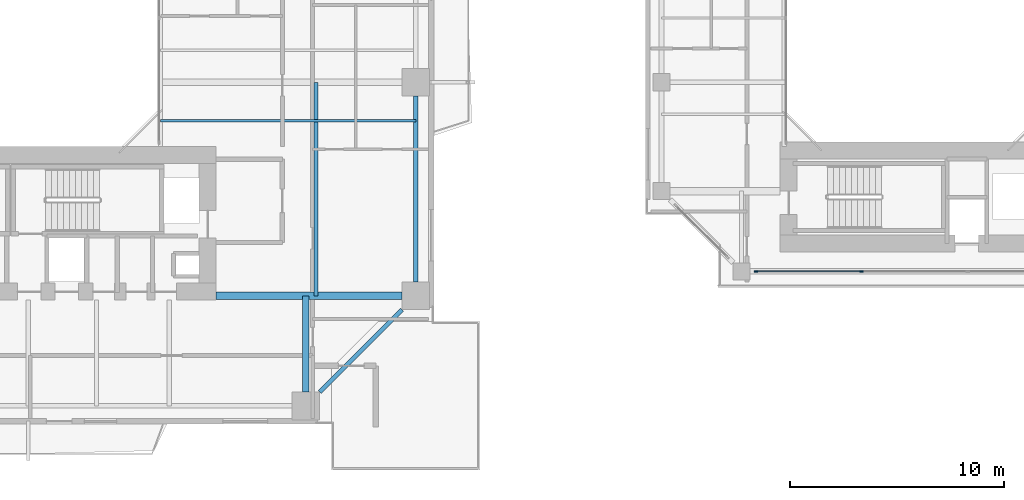
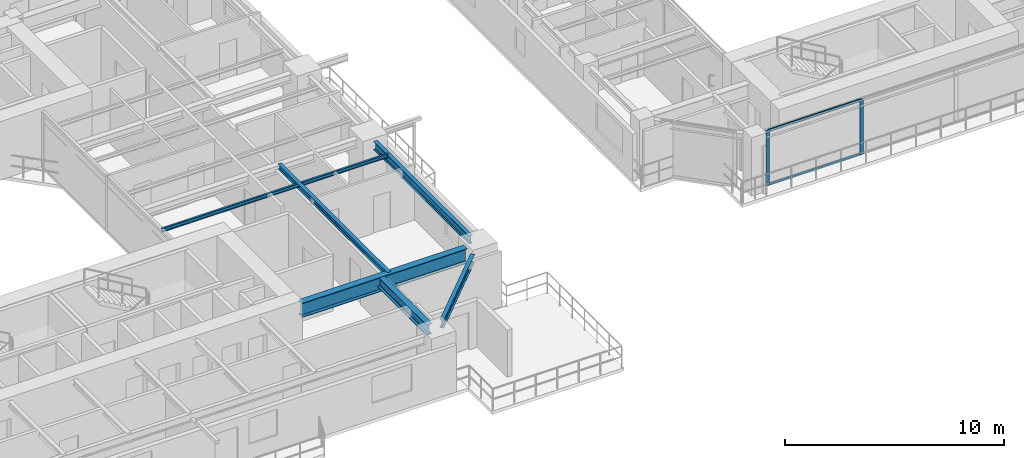
# One storey, part 5 of 23: 6 beams, 4 members, 1 element without a shape of its own.
"""IFC4 building model written with IfcOpenShell, lengths in metres."""

from ifc_helpers import new_model, si_unit, direction, frame, origin, origin_2d, place, context, subcontext, project, spatial, rectangle, i_section, extrude, source, transform, mapped, material, layer, layer_set, material_profile, profile_set, type_object, element, aggregate, save


model = new_model("IFC4")

# Units and contexts
model_context = context("Model", 3, precision=1e-05, world=origin(), true_north=direction((0.0, 1.0)))
body_context = subcontext(model_context, "Body", "Model", "MODEL_VIEW")
ifc_project = project(units=[si_unit("LENGTHUNIT", "METRE"), si_unit("AREAUNIT", "SQUARE_METRE"), si_unit("VOLUMEUNIT", "CUBIC_METRE"), si_unit("PLANEANGLEUNIT", "RADIAN"), si_unit("MASSUNIT", "GRAM", prefix="KILO"), si_unit("THERMODYNAMICTEMPERATUREUNIT", "KELVIN"), si_unit("POWERUNIT", "WATT")], contexts=[model_context])

# Site, building, storey
site_placement = place(None, origin())
site = spatial("IfcSite", under=ifc_project, at=site_placement, CompositionType="ELEMENT")
building_placement = place(site_placement, origin())
building = spatial("IfcBuilding", under=site, at=building_placement, Name="Qiaomeng Ring Towers", CompositionType="ELEMENT")
storey_placement = place(building_placement, frame((0.0, 0.0, 73.0)))
storey = spatial("IfcBuildingStorey", under=building, at=storey_placement, Name="L20", CompositionType="ELEMENT", Elevation=73.0)

# Beams
ifc_material_1 = material(Name="Steel Q355B", Category="steel")
ifc_material_profile_1 = material_profile(ifc_material_1, i_section(OverallWidth=0.199951171875, OverallDepth=0.449951171875, WebThickness=0.009033203125, FlangeThickness=0.013916015625, FilletRadius=0.01806640625, at=origin_2d()), Name="HN 450x200x9x14")
ifc_profile_set_1 = profile_set([ifc_material_profile_1], Name="Steel Q355B")
beam_type_1 = type_object("IfcBeamType", Name="STR-BM-HN450", PredefinedType="SPANDREL", material=ifc_profile_set_1)
shared_shape_1 = source(origin(), body_context, "Body", "SweptSolid", [
    extrude(i_section(OverallWidth=0.199951171875, OverallDepth=0.449951171875, WebThickness=0.009033203125, FlangeThickness=0.013916015625, FilletRadius=0.01806640625, at=origin_2d()), origin(), (0.0, 0.0, 1.0), 5.446533203125),
])
beam_1_placement = place(storey_placement, frame((32.6494140625, 5.499267578125, 2.844970703125), z_axis=(0.707106781187, 0.707106781187, 0.0), x_axis=(-0.707106781187, 0.707106781187, 0.0)))
element("IfcBeam", 1, at=beam_1_placement, inside=storey, type_object=beam_type_1, Name="L20 beam STR-SP-L20-T1-S2-E1", PredefinedType="SPANDREL", context=body_context, shape_type="MappedRepresentation", body=[
    mapped(shared_shape_1, transform((0.0, 0.0, 0.0), x_axis=(1.0, 0.0, 0.0), y_axis=(0.0, 1.0, 0.0), z_axis=(0.0, 0.0, 1.0), scale=1.0)),
])
shared_shape_2 = source(origin(), body_context, "Body", "SweptSolid", [
    extrude(i_section(OverallWidth=0.199951171875, OverallDepth=0.449951171875, WebThickness=0.009033203125, FlangeThickness=0.013916015625, FilletRadius=0.01806640625, at=origin_2d()), origin(), (0.0, 0.0, 1.0), 8.7021484375),
])
beam_2_placement = place(storey_placement, frame((37.14990234375, 10.64892578125, 2.844970703125), z_axis=(0.0, 1.0, 0.0), x_axis=(-1.0, 0.0, 0.0)))
element("IfcBeam", 2, at=beam_2_placement, inside=storey, type_object=beam_type_1, Name="L20 beam STR-SP-L20-T1-E1-E2", PredefinedType="SPANDREL", context=body_context, shape_type="MappedRepresentation", body=[
    mapped(shared_shape_2, transform((0.0, 0.0, 0.0), x_axis=(1.0, 0.0, 0.0), y_axis=(0.0, 1.0, 0.0), z_axis=(0.0, 0.0, 1.0), scale=1.0)),
])
ifc_material_2 = material(Name="Steel Q390GJC", Category="steel")
ifc_material_profile_2 = material_profile(ifc_material_2, i_section(OverallWidth=0.35009765625, OverallDepth=0.800048828125, WebThickness=0.01611328125, FlangeThickness=0.028076171875, at=origin_2d()), Name="WH 800x350x16x28")
ifc_profile_set_2 = profile_set([ifc_material_profile_2], Name="Steel Q390GJC")
beam_type_2 = type_object("IfcBeamType", Name="STR-BM-WH800", PredefinedType="BEAM", material=ifc_profile_set_2)
shared_shape_3 = source(origin(), body_context, "Body", "SweptSolid", [
    extrude(i_section(OverallWidth=0.35009765625, OverallDepth=0.800048828125, WebThickness=0.01611328125, FlangeThickness=0.028076171875, at=origin_2d()), origin(), (0.0, 0.0, 1.0), 8.700927734375),
])
beam_3_placement = place(storey_placement, frame((27.800048828125, 10.0, 2.669921875), z_axis=(1.0, 0.0, 0.0), x_axis=(0.0, 1.0, 0.0)))
element("IfcBeam", 3, at=beam_3_placement, inside=storey, type_object=beam_type_2, Name="L20 beam STR-BM-L20-T1-RAD-E1", PredefinedType="BEAM", context=body_context, shape_type="MappedRepresentation", body=[
    mapped(shared_shape_3, transform((0.0, 0.0, 0.0), x_axis=(1.0, 0.0, 0.0), y_axis=(0.0, 1.0, 0.0), z_axis=(0.0, 0.0, 1.0), scale=1.0)),
])
ifc_material_profile_3 = material_profile(ifc_material_1, i_section(OverallWidth=0.300048828125, OverallDepth=0.587890625, WebThickness=0.011962890625, FlangeThickness=0.02001953125, FilletRadius=0.028076171875, at=origin_2d()), Name="HM 588x300x12x20")
ifc_profile_set_3 = profile_set([ifc_material_profile_3], Name="Steel Q355B")
beam_type_3 = type_object("IfcBeamType", Name="STR-BM-HM588", PredefinedType="BEAM", material=ifc_profile_set_3)
shared_shape_4 = source(origin(), body_context, "Body", "SweptSolid", [
    extrude(i_section(OverallWidth=0.300048828125, OverallDepth=0.587890625, WebThickness=0.011962890625, FlangeThickness=0.02001953125, FilletRadius=0.028076171875, at=origin_2d()), origin(), (0.0, 0.0, 1.0), 4.5009765625),
])
beam_4_placement = place(storey_placement, frame((32.0, 5.4990234375, 2.77587890625), z_axis=(0.0, 1.0, 0.0), x_axis=(-1.0, 0.0, 0.0)))
element("IfcBeam", 4, at=beam_4_placement, inside=storey, type_object=beam_type_3, Name="L20 beam STR-BM-L20-T1-RAD-S2", PredefinedType="BEAM", context=body_context, shape_type="MappedRepresentation", body=[
    mapped(shared_shape_4, transform((0.0, 0.0, 0.0), x_axis=(1.0, 0.0, 0.0), y_axis=(0.0, 1.0, 0.0), z_axis=(0.0, 0.0, 1.0), scale=1.0)),
])
ifc_material_profile_4 = material_profile(ifc_material_1, i_section(OverallWidth=0.10009765625, OverallDepth=0.199951171875, WebThickness=0.005615234375, FlangeThickness=0.008056640625, FilletRadius=0.010986328125, at=origin_2d()), Name="HN 200x100x5.5x8")
ifc_profile_set_4 = profile_set([ifc_material_profile_4], Name="Steel Q355B")
beam_type_4 = type_object("IfcBeamType", Name="STR-BM-HN200", PredefinedType="JOIST", material=ifc_profile_set_4)
shared_shape_5 = source(origin(), body_context, "Body", "SweptSolid", [
    extrude(i_section(OverallWidth=0.10009765625, OverallDepth=0.199951171875, WebThickness=0.005615234375, FlangeThickness=0.008056640625, FilletRadius=0.010986328125, at=origin_2d()), origin(), (0.0, 0.0, 1.0), 11.949951171875),
])
beam_5_placement = place(storey_placement, frame((25.199951171875, 18.199951171875, 2.969970703125), z_axis=(1.0, 0.0, 0.0), x_axis=(0.0, 1.0, 0.0)))
element("IfcBeam", 5, at=beam_5_placement, inside=storey, type_object=beam_type_4, Name="L20 beam STR-JST-L20-T1E-1", PredefinedType="JOIST", context=body_context, shape_type="MappedRepresentation", body=[
    mapped(shared_shape_5, transform((0.0, 0.0, 0.0), x_axis=(1.0, 0.0, 0.0), y_axis=(0.0, 1.0, 0.0), z_axis=(0.0, 0.0, 1.0), scale=1.0)),
])
ifc_material_profile_5 = material_profile(ifc_material_1, i_section(OverallWidth=0.199951171875, OverallDepth=0.2939453125, WebThickness=0.008056640625, FlangeThickness=0.011962890625, FilletRadius=0.01806640625, at=origin_2d()), Name="HM 294x200x8x12")
ifc_profile_set_5 = profile_set([ifc_material_profile_5], Name="Steel Q355B")
beam_type_5 = type_object("IfcBeamType", Name="STR-BM-HM294", PredefinedType="JOIST", material=ifc_profile_set_5)
shared_shape_6 = source(origin(), body_context, "Body", "SweptSolid", [
    extrude(i_section(OverallWidth=0.199951171875, OverallDepth=0.2939453125, WebThickness=0.008056640625, FlangeThickness=0.011962890625, FilletRadius=0.01806640625, at=origin_2d()), origin(), (0.0, 0.0, 1.0), 10.0),
])
beam_6_placement = place(storey_placement, frame((32.47509765625, 10.0, 2.923095703125), z_axis=(0.0, 1.0, 0.0), x_axis=(-1.0, 0.0, 0.0)))
element("IfcBeam", 6, at=beam_6_placement, inside=storey, type_object=beam_type_5, Name="L20 beam STR-JST-L20-T1C-ES", PredefinedType="JOIST", context=body_context, shape_type="MappedRepresentation", body=[
    mapped(shared_shape_6, transform((0.0, 0.0, 0.0), x_axis=(1.0, 0.0, 0.0), y_axis=(0.0, 1.0, 0.0), z_axis=(0.0, 0.0, 1.0), scale=1.0)),
])

# Curtain wall, members
ifc_material_3 = material(Name="Fluorocarbon dark-grey aluminium", Category="aluminium")
ifc_layer = layer(ifc_material_3, 0.14990234375, Name="Fluorocarbon dark-grey aluminium")
ifc_layer_set = layer_set([ifc_layer], Name="Fluorocarbon dark-grey aluminium")
curtain_wall_type = type_object("IfcCurtainWallType", Name="ARC-CW-5", PredefinedType="NOTDEFINED", material=ifc_layer_set)
curtain_wall_placement = place(storey_placement, origin())
curtain_wall = element("IfcCurtainWall", 7, at=curtain_wall_placement, inside=storey, type_object=curtain_wall_type, Name="L20 Curtain Wall CW5", PredefinedType="NOTDEFINED")
ifc_material_profile_6 = material_profile(ifc_material_3, rectangle(XDim=0.070068359375, YDim=0.179931640625, at=origin_2d()), Name="ALU MULL 70x180")
ifc_profile_set_6 = profile_set([ifc_material_profile_6], Name="Fluorocarbon dark-grey aluminium")
member_type_1 = type_object("IfcMemberType", Name="ARC-CWM-160", PredefinedType="MULLION", material=ifc_profile_set_6)
shared_shape_7 = source(origin(), body_context, "Body", "SweptSolid", [
    extrude(rectangle(XDim=0.070068359375, YDim=0.179931640625, at=origin_2d()), origin(), (0.0, 0.0, 1.0), 3.070068359375),
])
member_1_placement = place(storey_placement, frame((53.074951171875, 11.14990234375, 0.0), z_axis=(0.0, 0.0, 1.0), x_axis=(0.0, 1.0, 0.0)))
member_1 = element("IfcMember", 8, at=member_1_placement, type_object=member_type_1, Name="CW5 mullion 1", PredefinedType="MULLION", context=body_context, shape_type="MappedRepresentation", body=[
    mapped(shared_shape_7, transform((0.0, 0.0, 0.0), x_axis=(1.0, 0.0, 0.0), y_axis=(0.0, 1.0, 0.0), z_axis=(0.0, 0.0, 1.0), scale=1.0)),
])
member_2_placement = place(storey_placement, frame((58.013427734375, 11.14990234375, 0.0), z_axis=(0.0, 0.0, 1.0), x_axis=(0.0, 1.0, 0.0)))
member_2 = element("IfcMember", 9, at=member_2_placement, type_object=member_type_1, Name="CW5 mullion 2", PredefinedType="MULLION", context=body_context, shape_type="MappedRepresentation", body=[
    mapped(shared_shape_7, transform((0.0, 0.0, 0.0), x_axis=(1.0, 0.0, 0.0), y_axis=(0.0, 1.0, 0.0), z_axis=(0.0, 0.0, 1.0), scale=1.0)),
])
ifc_material_profile_7 = material_profile(ifc_material_3, rectangle(XDim=0.06494140625, YDim=0.1298828125, at=origin_2d()), Name="ALU TRAN 65x130")
ifc_profile_set_7 = profile_set([ifc_material_profile_7], Name="Fluorocarbon dark-grey aluminium")
member_type_2 = type_object("IfcMemberType", Name="ARC-CWT-120", PredefinedType="USERDEFINED", material=ifc_profile_set_7)
shared_shape_8 = source(origin(), body_context, "Body", "SweptSolid", [
    extrude(rectangle(XDim=0.06494140625, YDim=0.1298828125, at=origin_2d()), origin(), (0.0, 0.0, 1.0), 4.8681640625),
])
member_3_placement = place(storey_placement, frame((53.110107421875, 11.14990234375, 0.032470703125), z_axis=(1.0, 0.0, 0.0), x_axis=(0.0, 1.0, 0.0)))
member_3 = element("IfcMember", 10, at=member_3_placement, type_object=member_type_2, Name="CW5 transom 1.1", ObjectType="TRANSOM", PredefinedType="USERDEFINED", context=body_context, shape_type="MappedRepresentation", body=[
    mapped(shared_shape_8, transform((0.0, 0.0, 0.0), x_axis=(1.0, 0.0, 0.0), y_axis=(0.0, 1.0, 0.0), z_axis=(0.0, 0.0, 1.0), scale=1.0)),
])
member_4_placement = place(storey_placement, frame((53.110107421875, 11.14990234375, 3.03759765625), z_axis=(1.0, 0.0, 0.0), x_axis=(0.0, 1.0, 0.0)))
member_4 = element("IfcMember", 11, at=member_4_placement, type_object=member_type_2, Name="CW5 transom 1.2", ObjectType="TRANSOM", PredefinedType="USERDEFINED", context=body_context, shape_type="MappedRepresentation", body=[
    mapped(shared_shape_8, transform((0.0, 0.0, 0.0), x_axis=(1.0, 0.0, 0.0), y_axis=(0.0, 1.0, 0.0), z_axis=(0.0, 0.0, 1.0), scale=1.0)),
])
aggregate(curtain_wall, [member_1, member_2, member_3, member_4])

save(model, "model.ifc")
